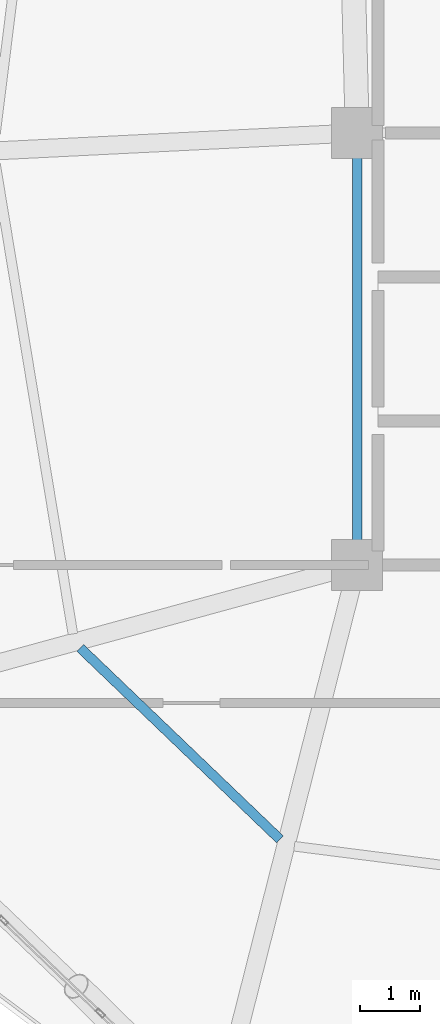
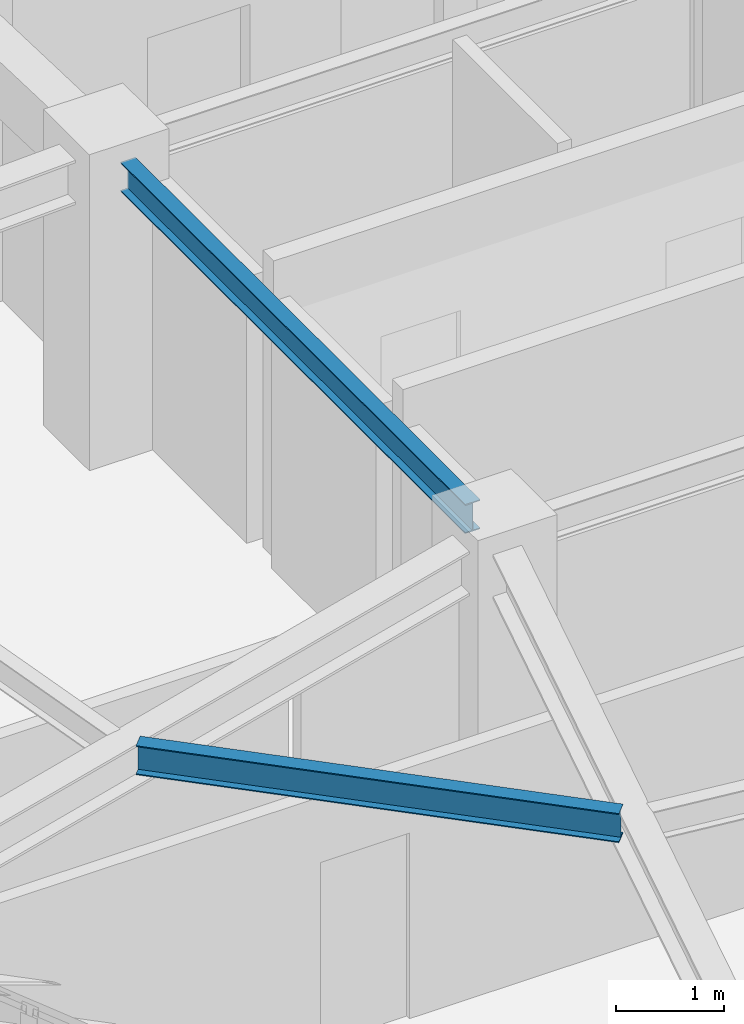
# One storey, part 6 of 28: 2 beams.
"""IFC4 building model written with IfcOpenShell, lengths in metres."""

from ifc_helpers import new_model, si_unit, direction, frame, origin, origin_2d, place, context, subcontext, project, spatial, i_section, extrude, material, material_profile, profile_set, type_object, element, save


model = new_model("IFC4")

# Units and contexts
model_context = context("Model", 3, precision=1e-05, world=origin(), true_north=direction((0.0, 1.0)))
body_context = subcontext(model_context, "Body", "Model", "MODEL_VIEW")
ifc_project = project(units=[si_unit("LENGTHUNIT", "METRE"), si_unit("AREAUNIT", "SQUARE_METRE"), si_unit("VOLUMEUNIT", "CUBIC_METRE"), si_unit("PLANEANGLEUNIT", "RADIAN"), si_unit("MASSUNIT", "GRAM", prefix="KILO")], contexts=[model_context])

# Site, building, storey
site_placement = place(None, origin())
site = spatial("IfcSite", under=ifc_project, at=site_placement, CompositionType="ELEMENT")
building_placement = place(site_placement, origin())
building = spatial("IfcBuilding", under=site, at=building_placement, Name="Varnakorn Sky Granary", CompositionType="ELEMENT")
storey_placement = place(building_placement, frame((0.0, 0.0, 204.0)))
storey = spatial("IfcBuildingStorey", under=building, at=storey_placement, Name="L51", CompositionType="ELEMENT", Elevation=204.0)

# Beams
ifc_material = material(Name="Steel S355JR", Category="steel")
ifc_material_profile = material_profile(ifc_material, i_section(OverallWidth=0.159912109375, OverallDepth=0.330078125, WebThickness=0.007568359375, FlangeThickness=0.011474609375, at=origin_2d()), Name="IPE 330")
ifc_profile_set = profile_set([ifc_material_profile], Name="Steel S355JR")
beam_type = type_object("IfcBeamType", Name="BM-SEC-Z4", PredefinedType="BEAM", material=ifc_profile_set)
beam_1_placement = place(storey_placement, frame((-6.965087890625, -7.986083984375, 3.195068359375), z_axis=(0.721862487058, -0.692036523443, 0.0), x_axis=(0.692036523443, 0.721862487058, 0.0)))
element("IfcBeam", 1, at=beam_1_placement, inside=storey, type_object=beam_type, Name="Secondary Floor Chord Beam MSB08 L51", PredefinedType="BEAM", context=body_context, shape_type="SweptSolid", body=[
    extrude(i_section(OverallWidth=0.159912109375, OverallDepth=0.330078125, WebThickness=0.007568359375, FlangeThickness=0.011474609375, at=origin_2d()), origin(), (0.0, 0.0, 1.0), 4.6083984375),
])
beam_2_placement = place(storey_placement, frame((-2.35009765625, 0.195068359375, 3.195068359375), z_axis=(0.0, -1.0, 0.0), x_axis=(1.0, 0.0, 0.0)))
element("IfcBeam", 2, at=beam_2_placement, inside=storey, type_object=beam_type, Name="Core Spine Framing Beam 3 L51", PredefinedType="BEAM", context=body_context, shape_type="SweptSolid", body=[
    extrude(i_section(OverallWidth=0.159912109375, OverallDepth=0.330078125, WebThickness=0.007568359375, FlangeThickness=0.011474609375, at=origin_2d()), origin(), (0.0, 0.0, 1.0), 6.39013671875),
])

save(model, "model.ifc")
